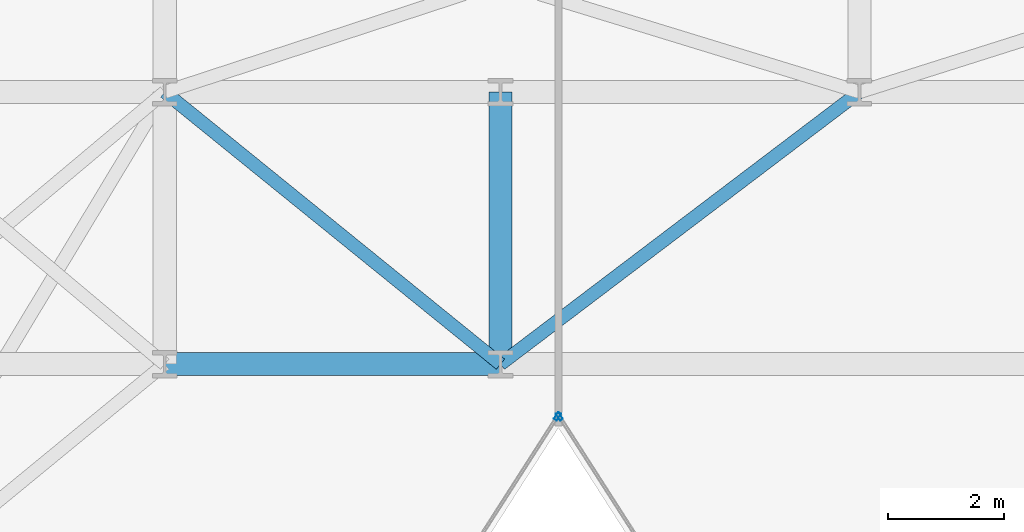
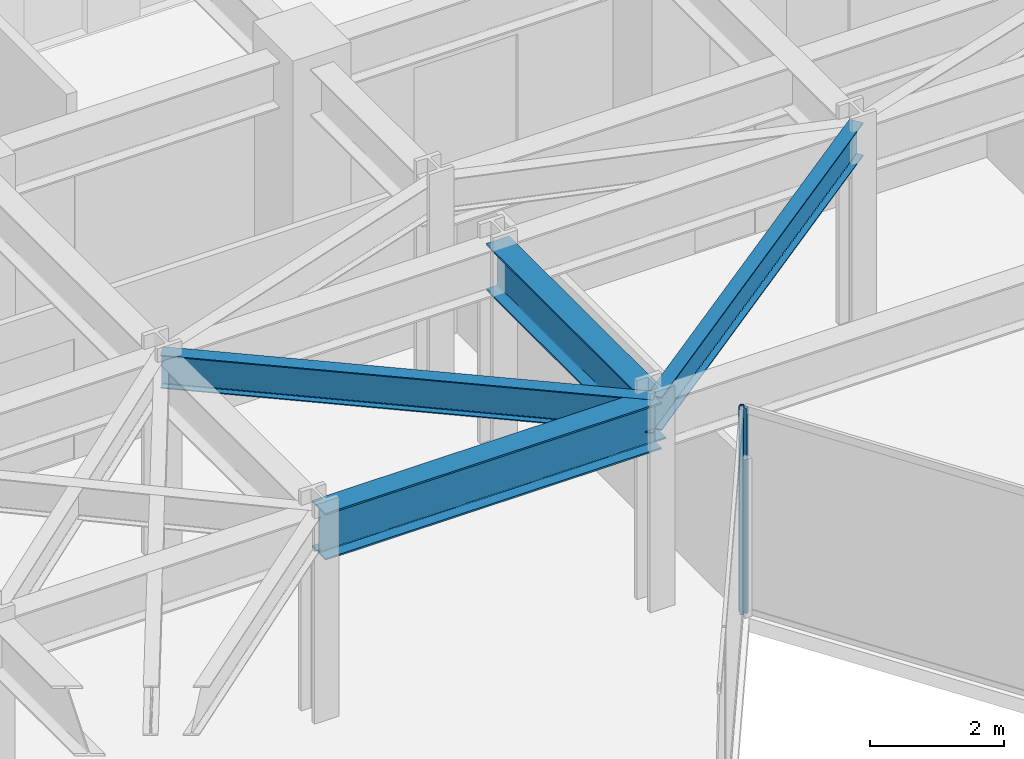
# One storey, part 13 of 26: 4 beams, 2 members, 2 elements without a shape of their own.
"""IFC4 building model written with IfcOpenShell, lengths in metres."""

import ifcopenshell
import ifcopenshell.guid

model = None  # the IFC model being written
_history = None  # IfcOwnerHistory: only IFC2X3 demands one
_inside = {}  # id of a spatial element -> (the spatial element, [elements in it])
_under = {}  # id of a project, library or spatial element -> (it, [spatial elements below it])
_declared = {}  # id of a project -> (the project, [libraries it declares])
_typed = {}  # id of a type object -> (the type object, [elements of that type])
_made_of = {}  # id of a material, layer set ... -> (it, [elements and type objects made of it])


def new_model(schema):
    """Start an empty IFC model of exactly this schema.

    Asked for "IFC4X3", IfcOpenShell would pick the latest addendum, in which some entities
    have other attributes; the version numbers below select the first issue.
    IFC2X3 requires an IfcOwnerHistory on every rooted entity: one is made here for all.
    """
    global model, _history
    if schema == "IFC4X3":
        model = ifcopenshell.file(schema_version=(4, 3, 0, 0))
    else:
        model = ifcopenshell.file(schema=schema)
    _inside.clear()
    _under.clear()
    _declared.clear()
    _typed.clear()
    _made_of.clear()
    _history = None
    if model.schema == "IFC2X3":
        org = make("IfcOrganization", Name="unknown")
        user = make(
            "IfcPersonAndOrganization",
            ThePerson=make("IfcPerson", FamilyName="unknown"),
            TheOrganization=org,
        )
        app = make(
            "IfcApplication",
            ApplicationDeveloper=org,
            Version="unknown",
            ApplicationFullName="unknown",
            ApplicationIdentifier="unknown",
        )
        _history = make(
            "IfcOwnerHistory",
            OwningUser=user,
            OwningApplication=app,
            ChangeAction="ADDED",
            CreationDate=0,
        )
    return model


def make(cls, **values):
    """One entity of the class cls with the attributes given. An attribute that is None is left unset."""
    return model.create_entity(
        cls, **{name: value for name, value in values.items() if value is not None}
    )


def rooted(cls, **values):
    """An entity with a GlobalId (a new one), such as an element, a storey or a relation."""
    return make(cls, GlobalId=ifcopenshell.guid.new(), OwnerHistory=_history, **values)


def si_unit(unit_type, name, prefix=None):
    """IfcSIUnit, for example si_unit("LENGTHUNIT", "METRE", prefix="MILLI")."""
    return make("IfcSIUnit", UnitType=unit_type, Prefix=prefix, Name=name)


def assignment(units):
    """IfcUnitAssignment: the units of a project."""
    return None if units is None else make("IfcUnitAssignment", Units=units)


def point(xyz):
    """IfcCartesianPoint."""
    return None if xyz is None else make("IfcCartesianPoint", Coordinates=xyz)


def direction(xyz):
    """IfcDirection."""
    return None if xyz is None else make("IfcDirection", DirectionRatios=xyz)


def frame(location, z_axis=None, x_axis=None):
    """IfcAxis2Placement3D, a coordinate frame: its origin and axes. An axis left out is left unset."""
    return make(
        "IfcAxis2Placement3D",
        Location=point(location),
        Axis=direction(z_axis),
        RefDirection=direction(x_axis),
    )


def frame_2d(location, x_axis=None):
    """IfcAxis2Placement2D, a coordinate frame in the plane: its origin and x axis."""
    return make(
        "IfcAxis2Placement2D", Location=point(location), RefDirection=direction(x_axis)
    )


def origin():
    """The frame at (0, 0, 0) with its axes left unset."""
    return frame((0.0, 0.0, 0.0))


def origin_2d():
    """The frame at (0, 0) in the plane with its x axis left unset."""
    return frame_2d((0.0, 0.0))


def place(relative_to, where):
    """IfcLocalPlacement: puts the frame where relative to a parent placement (None: the world)."""
    return make(
        "IfcLocalPlacement", PlacementRelTo=relative_to, RelativePlacement=where
    )


def context(
    kind, dimensions, precision=None, world=None, true_north=None, identifier=None
):
    """IfcGeometricRepresentationContext, for example the 3D "Model" context."""
    return make(
        "IfcGeometricRepresentationContext",
        ContextIdentifier=identifier,
        ContextType=kind,
        CoordinateSpaceDimension=dimensions,
        Precision=precision,
        WorldCoordinateSystem=world,
        TrueNorth=true_north,
    )


def subcontext(parent, identifier, kind, view, scale=None):
    """IfcGeometricRepresentationSubContext, for example "Body" below "Model"."""
    return make(
        "IfcGeometricRepresentationSubContext",
        ContextIdentifier=identifier,
        ContextType=kind,
        ParentContext=parent,
        TargetScale=scale,
        TargetView=view,
    )


def project(units=None, contexts=None):
    """IfcProject with its units and contexts."""
    return rooted(
        "IfcProject",
        Name="project",
        RepresentationContexts=contexts,
        UnitsInContext=assignment(units),
    )


def spatial(cls, under=None, at=None, **own):
    """A site, building, storey or space (cls), placed at a placement, below another one or the project."""
    s = rooted(cls, ObjectPlacement=at, **own)
    if under is not None:
        _under.setdefault(under.id(), (under, []))[1].append(s)
    return s


def profile(cls, at=None, kind="AREA", **sizes):
    """A parametric profile (cls). Its sizes go by their IFC names, for example OverallWidth=200.0."""
    return make(cls, ProfileType=kind, Position=at, **sizes)


def hollow_rectangle(**sizes):
    """IfcRectangleHollowProfileDef."""
    return profile("IfcRectangleHollowProfileDef", **sizes)


def i_section(**sizes):
    """IfcIShapeProfileDef."""
    return profile("IfcIShapeProfileDef", **sizes)


def extrude(swept, where, along, depth):
    """IfcExtrudedAreaSolid: the profile swept, set in the frame where, extruded along a direction by depth."""
    return make(
        "IfcExtrudedAreaSolid",
        SweptArea=swept,
        Position=where,
        ExtrudedDirection=direction(along),
        Depth=depth,
    )


def shape(context_of_items, identifier, shape_type, items):
    """IfcShapeRepresentation: the items that make up one representation, for example the "Body"."""
    return make(
        "IfcShapeRepresentation",
        ContextOfItems=context_of_items,
        RepresentationIdentifier=identifier,
        RepresentationType=shape_type,
        Items=items,
    )


def material(Name=None, Category=None):
    """IfcMaterial."""
    return make("IfcMaterial", Name=Name, Category=Category)


def layer(
    of_material, thickness, ventilated=None, Name=None, Category=None, Priority=None
):
    """IfcMaterialLayer: one layer of a wall or slab, of a material (None: an air gap)."""
    return make(
        "IfcMaterialLayer",
        Material=of_material,
        LayerThickness=thickness,
        IsVentilated=ventilated,
        Name=Name,
        Category=Category,
        Priority=Priority,
    )


def layer_set(layers, Name=None):
    """IfcMaterialLayerSet."""
    return make("IfcMaterialLayerSet", MaterialLayers=layers, LayerSetName=Name)


def material_profile(
    of_material, cross_section, Name=None, Category=None, Priority=None
):
    """IfcMaterialProfile: a cross section and its material."""
    return make(
        "IfcMaterialProfile",
        Name=Name,
        Material=of_material,
        Profile=cross_section,
        Priority=Priority,
        Category=Category,
    )


def profile_set(profiles, Name=None, composite=None):
    """IfcMaterialProfileSet."""
    return make(
        "IfcMaterialProfileSet",
        Name=Name,
        MaterialProfiles=profiles,
        CompositeProfile=composite,
    )


def made_of(thing, what):
    """Note that an element or type object is made of a material, layer set ...; save() writes the relation."""
    if what is not None:
        _made_of.setdefault(what.id(), (what, []))[1].append(thing)
    return thing


def type_object(cls, material=None, **own):
    """A type object (cls), such as IfcWallType, which elements share."""
    return made_of(rooted(cls, **own), material)


def element(
    cls,
    number,
    at=None,
    inside=None,
    cuts=None,
    type_object=None,
    material=None,
    context=None,
    identifier="Body",
    shape_type=None,
    held_by="IfcProductDefinitionShape",
    body=None,
    shapes=None,
    **own,
):
    """One element of the class cls, such as IfcWall. Its Tag is "e" and its number.

    at: its placement. inside: the storey or other place that contains it. cuts: it is an
    opening in that element (IfcRelVoidsElement). A single representation is given by context,
    identifier, shape_type and body (its items); several are given by shapes. held_by: the class
    of the entity that holds the representations. save() writes the other relations.
    """
    e = rooted(cls, Tag="e%d" % number, ObjectPlacement=at, **own)
    if body is not None:
        shapes = [shape(context, identifier, shape_type, body)]
    if shapes is not None:
        e.Representation = make(held_by, Representations=shapes)
    if inside is not None:
        _inside.setdefault(inside.id(), (inside, []))[1].append(e)
    if cuts is not None:
        rooted(
            "IfcRelVoidsElement", RelatingBuildingElement=cuts, RelatedOpeningElement=e
        )
    if type_object is not None:
        _typed.setdefault(type_object.id(), (type_object, []))[1].append(e)
    return made_of(e, material)


def aggregate(whole, parts):
    """IfcRelAggregates: a whole, such as a stair, and the parts it consists of."""
    return rooted("IfcRelAggregates", RelatingObject=whole, RelatedObjects=parts)


def save(model, path):
    """Write the relations noted so far, then the file.

    IfcRelAggregates (storeys below a building ...), IfcRelContainedInSpatialStructure (elements
    in a storey), IfcRelDefinesByType, IfcRelAssociatesMaterial and IfcRelDeclares: one each for
    every whole, place, type object, material and project.
    """
    for whole, parts in _under.values():
        aggregate(whole, parts)
    for where, things in _inside.values():
        rooted(
            "IfcRelContainedInSpatialStructure",
            RelatedElements=things,
            RelatingStructure=where,
        )
    for kind, things in _typed.values():
        rooted("IfcRelDefinesByType", RelatedObjects=things, RelatingType=kind)
    for what, things in _made_of.values():
        rooted("IfcRelAssociatesMaterial", RelatedObjects=things, RelatingMaterial=what)
    for by, libraries in _declared.values():
        rooted("IfcRelDeclares", RelatingContext=by, RelatedDefinitions=libraries)
    model.write(path)


model = new_model("IFC4")

# Units and contexts
model_context = context("Model", 3, precision=1e-05, world=origin(), true_north=direction((0.0, 1.0)))
body_context = subcontext(model_context, "Body", "Model", "MODEL_VIEW")
ifc_project = project(units=[si_unit("LENGTHUNIT", "METRE"), si_unit("AREAUNIT", "SQUARE_METRE"), si_unit("VOLUMEUNIT", "CUBIC_METRE"), si_unit("PLANEANGLEUNIT", "RADIAN"), si_unit("MASSUNIT", "GRAM", prefix="KILO")], contexts=[model_context])

# Site, building, storey
site_placement = place(None, origin())
site = spatial("IfcSite", under=ifc_project, at=site_placement, CompositionType="ELEMENT")
building_placement = place(site_placement, origin())
building = spatial("IfcBuilding", under=site, at=building_placement, Name="Kravanh Interchange Tower", CompositionType="ELEMENT")
storey_placement = place(building_placement, frame((0.0, 0.0, 108.0)))
storey = spatial("IfcBuildingStorey", under=building, at=storey_placement, Name="L25", CompositionType="ELEMENT", Elevation=108.0)

# Curtain wall, member
ifc_material_1 = material(Name="Anodised Bronze Aluminium", Category="aluminium")
ifc_layer = layer(ifc_material_1, 0.179931640625)
ifc_layer_set = layer_set([ifc_layer], Name="Unitised Curtain Wall System CW-Z2 Mid Office")
curtain_wall_type = type_object("IfcCurtainWallType", Name="Unitised Curtain Wall System CW-Z2 Mid Office", PredefinedType="NOTDEFINED", material=ifc_layer_set)
curtain_wall_1_placement = place(storey_placement, origin())
curtain_wall_1 = element("IfcCurtainWall", 1, at=curtain_wall_1_placement, inside=storey, type_object=curtain_wall_type, Name="L25 Unitised Curtain Wall CW-L25-04", PredefinedType="NOTDEFINED")
ifc_material_2 = material(Name="Anodised Bronze Aluminium", Category="aluminium")
ifc_material_profile_1 = material_profile(ifc_material_2, hollow_rectangle(XDim=0.06005859375, YDim=0.139892578125, WallThickness=0.00390625, at=origin_2d()), Name="ALU60X140X4")
ifc_profile_set_1 = profile_set([ifc_material_profile_1], Name="Anodised Bronze Aluminium")
member_type = type_object("IfcMemberType", Name="Curtain Wall Mullion ALU60X140X4 Bronze", PredefinedType="MULLION", material=ifc_profile_set_1)
member_1_placement = place(storey_placement, frame((39.6162109375, 25.897216796875, 0.0), z_axis=(0.0, 0.0, 1.0), x_axis=(-0.841879939476, -0.539664865919, 0.0)))
member_1 = element("IfcMember", 2, at=member_1_placement, type_object=member_type, Name="CW-Z2 mullion 5", PredefinedType="MULLION", context=body_context, shape_type="SweptSolid", body=[
    extrude(hollow_rectangle(XDim=0.06005859375, YDim=0.139892578125, WallThickness=0.00390625, at=origin_2d()), origin(), (0.0, 0.0, 1.0), 3.75),
])
aggregate(curtain_wall_1, [member_1])

curtain_wall_2_placement = place(storey_placement, origin())
curtain_wall_2 = element("IfcCurtainWall", 3, at=curtain_wall_2_placement, inside=storey, type_object=curtain_wall_type, Name="L25 Unitised Curtain Wall CW-L25-05", PredefinedType="NOTDEFINED")
member_2_placement = place(storey_placement, frame((39.583740234375, 25.897216796875, 0.0), z_axis=(0.0, 0.0, 1.0), x_axis=(0.841879939476, -0.539664865919, 0.0)))
member_2 = element("IfcMember", 4, at=member_2_placement, type_object=member_type, Name="CW-Z2 mullion 1", PredefinedType="MULLION", context=body_context, shape_type="SweptSolid", body=[
    extrude(hollow_rectangle(XDim=0.06005859375, YDim=0.139892578125, WallThickness=0.00390625, at=origin_2d()), origin(), (0.0, 0.0, 1.0), 3.75),
])
aggregate(curtain_wall_2, [member_2])

# Beams
ifc_material_3 = material(Name="Structural Steel S355", Category="steel")
ifc_material_profile_2 = material_profile(ifc_material_3, i_section(OverallWidth=0.39990234375, OverallDepth=0.85595703125, WebThickness=0.018310546875, FlangeThickness=0.029296875, FilletRadius=0.02490234375, at=origin_2d()), Name="W33X201")
ifc_profile_set_2 = profile_set([ifc_material_profile_2], Name="Structural Steel S355")
beam_type_1 = type_object("IfcBeamType", Name="Floor Beam W33X201 Structural Steel S355", PredefinedType="BEAM", material=ifc_profile_set_2)
beam_1_placement = place(storey_placement, frame((32.800048828125, 26.800048828125, 3.322021484375), z_axis=(1.0, 0.0, 0.0), x_axis=(0.0, 1.0, 0.0)))
element("IfcBeam", 5, at=beam_1_placement, inside=storey, type_object=beam_type_1, Name="L25 Primary Floor Girder 50", PredefinedType="BEAM", context=body_context, shape_type="SweptSolid", body=[
    extrude(i_section(OverallWidth=0.39990234375, OverallDepth=0.85595703125, WebThickness=0.018310546875, FlangeThickness=0.029296875, FilletRadius=0.02490234375, at=origin_2d()), origin(), (0.0, 0.0, 1.0), 5.800048828125),
])
beam_2_placement = place(storey_placement, frame((38.60009765625, 26.800048828125, 3.322021484375), z_axis=(0.0, 1.0, 0.0), x_axis=(-1.0, 0.0, 0.0)))
element("IfcBeam", 6, at=beam_2_placement, inside=storey, type_object=beam_type_1, Name="L25 Primary Floor Girder 53", PredefinedType="BEAM", context=body_context, shape_type="SweptSolid", body=[
    extrude(i_section(OverallWidth=0.39990234375, OverallDepth=0.85595703125, WebThickness=0.018310546875, FlangeThickness=0.029296875, FilletRadius=0.02490234375, at=origin_2d()), origin(), (0.0, 0.0, 1.0), 4.699951171875),
])
ifc_material_4 = material(Name="Structural Steel S355", Category="steel")
ifc_material_profile_3 = material_profile(ifc_material_4, i_section(OverallWidth=0.22802734375, OverallDepth=0.60791015625, WebThickness=0.01123046875, FlangeThickness=0.017333984375, FilletRadius=0.02197265625, at=origin_2d()), Name="W24X76")
ifc_profile_set_3 = profile_set([ifc_material_profile_3], Name="Structural Steel S355")
beam_type_2 = type_object("IfcBeamType", Name="Floor Spandrel W24X76 Structural Steel S355", PredefinedType="SPANDREL", material=ifc_profile_set_3)
beam_3_placement = place(storey_placement, frame((38.60009765625, 26.800048828125, 3.446044921875), z_axis=(-0.776938619557, 0.629576350764, 0.0), x_axis=(-0.629576350764, -0.776938619557, 0.0)))
element("IfcBeam", 7, at=beam_3_placement, inside=storey, type_object=beam_type_2, Name="L25 Perimeter Spandrel 54", PredefinedType="SPANDREL", context=body_context, shape_type="SweptSolid", body=[
    extrude(i_section(OverallWidth=0.22802734375, OverallDepth=0.60791015625, WebThickness=0.01123046875, FlangeThickness=0.017333984375, FilletRadius=0.02197265625, at=origin_2d()), origin(), (0.0, 0.0, 1.0), 7.46533203125),
])
beam_4_placement = place(storey_placement, frame((38.60009765625, 26.800048828125, 3.446044921875), z_axis=(0.796905365509, 0.604104161898, 0.0), x_axis=(-0.604104161898, 0.796905365509, 0.0)))
element("IfcBeam", 8, at=beam_4_placement, inside=storey, type_object=beam_type_2, Name="L25 Perimeter Spandrel 55", PredefinedType="SPANDREL", context=body_context, shape_type="SweptSolid", body=[
    extrude(i_section(OverallWidth=0.22802734375, OverallDepth=0.60791015625, WebThickness=0.01123046875, FlangeThickness=0.017333984375, FilletRadius=0.02197265625, at=origin_2d()), origin(), (0.0, 0.0, 1.0), 7.780029296875),
])

save(model, "model.ifc")
